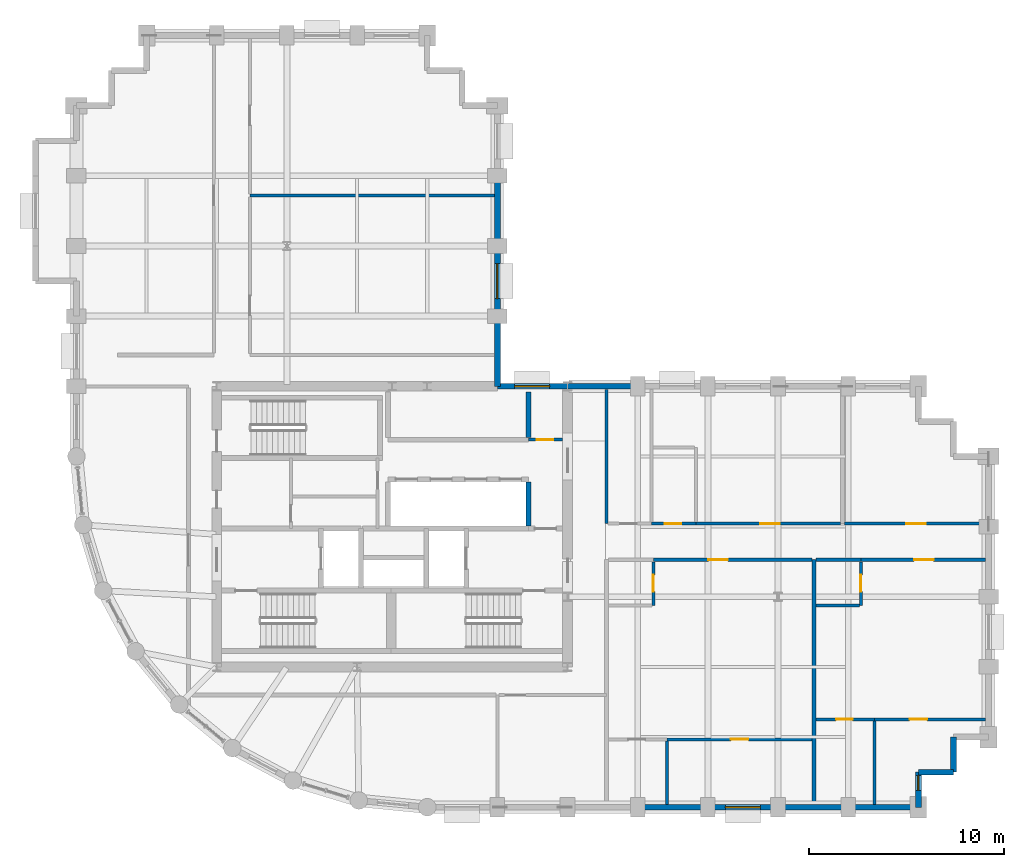
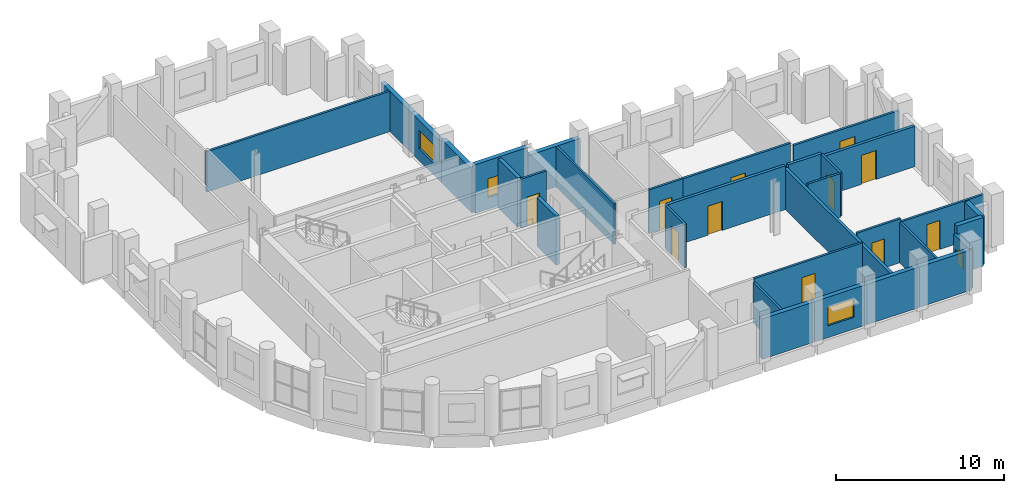
# One storey, part 10 of 14: 32 walls, 11 doors, 4 windows, 15 openings.
"""IFC4 building model written with IfcOpenShell, lengths in metres."""

from ifc_helpers import new_model, si_unit, direction, frame, frame_2d, origin, place, context, subcontext, project, spatial, rectangle, extrude, material, layer, layer_set, type_object, element, fill, save


model = new_model("IFC4")

# Units and contexts
model_context = context("Model", 3, precision=1e-05, world=origin(), true_north=direction((0.0, 1.0)))
body_context = subcontext(model_context, "Body", "Model", "MODEL_VIEW")
ifc_project = project(units=[si_unit("LENGTHUNIT", "METRE"), si_unit("AREAUNIT", "SQUARE_METRE"), si_unit("VOLUMEUNIT", "CUBIC_METRE"), si_unit("PLANEANGLEUNIT", "RADIAN"), si_unit("MASSUNIT", "GRAM", prefix="KILO")], contexts=[model_context])

# Site, building, storey
site_placement = place(None, origin())
site = spatial("IfcSite", under=ifc_project, at=site_placement, CompositionType="ELEMENT")
building_placement = place(site_placement, origin())
building = spatial("IfcBuilding", under=site, at=building_placement, Name="Solnavia Interchange Tower", CompositionType="ELEMENT")
storey_placement = place(building_placement, frame((0.0, 0.0, 158.0)))
storey = spatial("IfcBuildingStorey", under=building, at=storey_placement, Name="L39", CompositionType="ELEMENT", Elevation=158.0)

# Wall
ifc_material_1 = material(Name="Gypsum Acoustic Twin-Stud & Mineral Wool", Category="gypsum")
ifc_layer_1 = layer(ifc_material_1, 0.199951171875)
ifc_layer_set_1 = layer_set([ifc_layer_1], Name="Gypsum Acoustic Twin-Stud & Mineral Wool")
wall_type_1 = type_object("IfcWallType", Name="Wall-ApartmentParty-200", PredefinedType="PARTITIONING", material=ifc_layer_set_1)
wall_1_placement = place(storey_placement, frame((45.050048828125, 3.75390625, 0.0), z_axis=(0.0, 0.0, 1.0), x_axis=(0.0, 1.0, 0.0)))
element("IfcWall", 1, at=wall_1_placement, inside=storey, type_object=wall_type_1, Name="PTW-L39-13 Interior partition wall", PredefinedType="PARTITIONING", context=body_context, shape_type="SweptSolid", body=[
    extrude(rectangle(XDim=12.546142578125, YDim=0.199951171875, at=frame_2d((6.27294921875, 0.0))), origin(), (0.0, 0.0, 1.0), 2.929931640625),
])

# Wall, opening, door
wall_2_placement = place(storey_placement, frame((36.800048828125, 16.300048828125, 0.0), z_axis=(0.0, 0.0, 1.0), x_axis=(1.0, 0.0, 0.0)))
wall_2 = element("IfcWall", 2, at=wall_2_placement, inside=storey, type_object=wall_type_1, Name="PTW-L39-17 Interior partition wall", PredefinedType="PARTITIONING", context=body_context, shape_type="SweptSolid", body=[
    extrude(rectangle(XDim=8.14599609375, YDim=0.199951171875, at=frame_2d((4.072998046875, 0.0))), origin(), (0.0, 0.0, 1.0), 3.169921875),
])
opening_1_placement = place(wall_2_placement, frame((2.8291015625, 0.0, 0.0)))
opening_1 = element("IfcOpeningElement", 3, at=opening_1_placement, cuts=wall_2, Name="Opening DR-06", PredefinedType="OPENING", context=body_context, shape_type="SweptSolid", body=[
    extrude(rectangle(XDim=1.0, YDim=2.10009765625, at=frame_2d((0.5, 1.050048828125))), frame((0.0, 0.10986328125, 0.0), z_axis=(0.0, -1.0, 0.0), x_axis=(1.0, 0.0, 0.0)), (0.0, 0.0, 1.0), 0.219970703125),
])
ifc_material_2 = material(Name="Engineered Timber Acoustic Fire Door", Category="wood")
door_type_1 = type_object("IfcDoorType", Name="Door-FlatEntry-1000x2100", OperationType="SINGLE_SWING_LEFT", PredefinedType="DOOR", material=ifc_material_2)
door_1_placement = place(opening_1_placement, origin())
door_1 = element("IfcDoor", 4, at=door_1_placement, inside=storey, type_object=door_type_1, Name="DR-L39-06 Interior room door", OperationType="SINGLE_SWING_LEFT", OverallHeight=2.10009765625, OverallWidth=1.0, PredefinedType="DOOR", context=body_context, shape_type="SweptSolid", body=[
    extrude(rectangle(XDim=1.0, YDim=2.10009765625, at=frame_2d((0.5, 1.050048828125))), frame((0.0, 0.02490234375, 0.0), z_axis=(0.0, -1.0, 0.0), x_axis=(1.0, 0.0, 0.0)), (0.0, 0.0, 1.0), 0.050048828125),
])
fill(opening_1, door_1)

# Wall
wall_3_placement = place(storey_placement, frame((45.154052734375, 16.300048828125, 0.0), z_axis=(0.0, 0.0, 1.0), x_axis=(1.0, 0.0, 0.0)))
element("IfcWall", 5, at=wall_3_placement, inside=storey, type_object=wall_type_1, Name="PTW-L39-21 Interior partition wall", PredefinedType="PARTITIONING", context=body_context, shape_type="SweptSolid", body=[
    extrude(rectangle(XDim=2.2958984375, YDim=0.199951171875, at=frame_2d((1.14794921875, 0.0))), origin(), (0.0, 0.0, 1.0), 3.169921875),
])

# Wall, opening, door
wall_4_placement = place(storey_placement, frame((47.449951171875, 16.300048828125, 0.0), z_axis=(0.0, 0.0, 1.0), x_axis=(1.0, 0.0, 0.0)))
wall_4 = element("IfcWall", 6, at=wall_4_placement, inside=storey, type_object=wall_type_1, Name="PTW-L39-24 Interior partition wall", PredefinedType="PARTITIONING", context=body_context, shape_type="SweptSolid", body=[
    extrude(rectangle(XDim=6.39599609375, YDim=0.199951171875, at=frame_2d((3.197998046875, 0.0))), origin(), (0.0, 0.0, 1.0), 2.929931640625),
])
opening_2_placement = place(wall_4_placement, frame((2.735107421875, 0.0, 0.0)))
opening_2 = element("IfcOpeningElement", 7, at=opening_2_placement, cuts=wall_4, Name="Opening DR-06", PredefinedType="OPENING", context=body_context, shape_type="SweptSolid", body=[
    extrude(rectangle(XDim=1.0, YDim=2.10009765625, at=frame_2d((0.5, 1.050048828125))), frame((0.0, 0.10986328125, 0.0), z_axis=(0.0, -1.0, 0.0), x_axis=(1.0, 0.0, 0.0)), (0.0, 0.0, 1.0), 0.219970703125),
])
door_2_placement = place(opening_2_placement, origin())
door_2 = element("IfcDoor", 8, at=door_2_placement, inside=storey, type_object=door_type_1, Name="DR-L39-10 Interior room door", OperationType="SINGLE_SWING_LEFT", OverallHeight=2.10009765625, OverallWidth=1.0, PredefinedType="DOOR", context=body_context, shape_type="SweptSolid", body=[
    extrude(rectangle(XDim=1.0, YDim=2.10009765625, at=frame_2d((0.5, 1.050048828125))), frame((0.0, 0.02490234375, 0.0), z_axis=(0.0, -1.0, 0.0), x_axis=(1.0, 0.0, 0.0)), (0.0, 0.0, 1.0), 0.050048828125),
])
fill(opening_2, door_2)

# Wall
ifc_material_3 = material(Name="Concrete C40/50", Category="concrete")
ifc_layer_2 = layer(ifc_material_3, 0.300048828125)
ifc_layer_set_2 = layer_set([ifc_layer_2], Name="Concrete C40/50")
wall_type_2 = type_object("IfcWallType", Name="Wall-ExtSpandrel-300", PredefinedType="STANDARD", material=ifc_layer_set_2)
wall_5_placement = place(storey_placement, frame((39.60009765625, 3.60009765625, 0.0), z_axis=(0.0, 0.0, 1.0), x_axis=(-1.0, 0.0, 0.0)))
element("IfcWall", 9, at=wall_5_placement, inside=storey, type_object=wall_type_2, Name="EXW-L39-04 Exterior precast spandrel wall", PredefinedType="STANDARD", context=body_context, shape_type="SweptSolid", body=[
    extrude(rectangle(XDim=3.60009765625, YDim=0.300048828125, at=frame_2d((1.800048828125, 0.0))), origin(), (0.0, 0.0, 1.0), 2.929931640625),
])

# Wall, opening, window
wall_6_placement = place(storey_placement, frame((43.199951171875, 3.60009765625, 0.0), z_axis=(0.0, 0.0, 1.0), x_axis=(-1.0, 0.0, 0.0)))
wall_6 = element("IfcWall", 10, at=wall_6_placement, inside=storey, type_object=wall_type_2, Name="EXW-L39-05 Exterior precast spandrel wall", PredefinedType="STANDARD", context=body_context, shape_type="SweptSolid", body=[
    extrude(rectangle(XDim=3.599853515625, YDim=0.300048828125, at=frame_2d((1.7998046875, 0.0))), origin(), (0.0, 0.0, 1.0), 2.929931640625),
])
opening_3_placement = place(wall_6_placement, frame((0.89990234375, 0.0, 0.85009765625)))
opening_3 = element("IfcOpeningElement", 11, at=opening_3_placement, cuts=wall_6, Name="Opening WIN-02", PredefinedType="OPENING", context=body_context, shape_type="SweptSolid", body=[
    extrude(rectangle(XDim=1.800048828125, YDim=1.35009765625, at=frame_2d((0.89990234375, 0.675048828125))), frame((0.0, 0.16015625, 0.0), z_axis=(0.0, -1.0, 0.0), x_axis=(1.0, 0.0, 0.0)), (0.0, 0.0, 1.0), 0.320068359375),
])
ifc_material_4 = material(Name="Thermal-Break Aluminium & Low-E Glass", Category="aluminium")
window_type_1 = type_object("IfcWindowType", Name="Window-Ribbon-1800x1350", PartitioningType="SINGLE_PANEL", PredefinedType="WINDOW", material=ifc_material_4)
window_1_placement = place(opening_3_placement, origin())
window_1 = element("IfcWindow", 12, at=window_1_placement, inside=storey, type_object=window_type_1, Name="WIN-L39-05 Facade ribbon window", OverallHeight=1.35009765625, OverallWidth=1.800048828125, PartitioningType="SINGLE_PANEL", PredefinedType="WINDOW", context=body_context, shape_type="SweptSolid", body=[
    extrude(rectangle(XDim=1.800048828125, YDim=1.35009765625, at=frame_2d((0.89990234375, 0.675048828125))), frame((0.0, 0.030029296875, 0.0), z_axis=(0.0, -1.0, 0.0), x_axis=(1.0, 0.0, 0.0)), (0.0, 0.0, 1.0), 0.06005859375),
])
fill(opening_3, window_1)

# Walls
wall_7_placement = place(storey_placement, frame((46.800048828125, 3.60009765625, 0.0), z_axis=(0.0, 0.0, 1.0), x_axis=(-1.0, 0.0, 0.0)))
element("IfcWall", 13, at=wall_7_placement, inside=storey, type_object=wall_type_2, Name="EXW-L39-06 Exterior precast spandrel wall", PredefinedType="STANDARD", context=body_context, shape_type="SweptSolid", body=[
    extrude(rectangle(XDim=3.60009765625, YDim=0.300048828125, at=frame_2d((1.800048828125, 0.0))), origin(), (0.0, 0.0, 1.0), 2.929931640625),
])
wall_8_placement = place(storey_placement, frame((50.39990234375, 3.60009765625, 0.0), z_axis=(0.0, 0.0, 1.0), x_axis=(-1.0, 0.0, 0.0)))
element("IfcWall", 14, at=wall_8_placement, inside=storey, type_object=wall_type_2, Name="EXW-L39-07 Exterior precast spandrel wall", PredefinedType="STANDARD", context=body_context, shape_type="SweptSolid", body=[
    extrude(rectangle(XDim=3.599853515625, YDim=0.300048828125, at=frame_2d((1.7998046875, 0.0))), origin(), (0.0, 0.0, 1.0), 2.929931640625),
])

# Wall, opening, window
wall_9_placement = place(storey_placement, frame((50.39990234375, 5.39990234375, 0.0), z_axis=(0.0, 0.0, 1.0), x_axis=(0.0, -1.0, 0.0)))
wall_9 = element("IfcWall", 15, at=wall_9_placement, inside=storey, type_object=wall_type_2, Name="EXW-L39-08 Exterior precast spandrel wall", PredefinedType="STANDARD", context=body_context, shape_type="SweptSolid", body=[
    extrude(rectangle(XDim=1.7998046875, YDim=0.300048828125, at=frame_2d((0.89990234375, 0.0))), origin(), (0.0, 0.0, 1.0), 2.929931640625),
])
opening_4_placement = place(wall_9_placement, frame((0.179931640625, 0.0, 0.85009765625)))
opening_4 = element("IfcOpeningElement", 16, at=opening_4_placement, cuts=wall_9, Name="Opening WIN-08", PredefinedType="OPENING", context=body_context, shape_type="SweptSolid", body=[
    extrude(rectangle(XDim=0.75, YDim=1.050048828125, at=frame_2d((0.375, 0.52490234375))), frame((0.0, 0.16015625, 0.0), z_axis=(0.0, -1.0, 0.0), x_axis=(1.0, 0.0, 0.0)), (0.0, 0.0, 1.0), 0.320068359375),
])
window_type_2 = type_object("IfcWindowType", Name="Window-Bedroom-750x1050", PartitioningType="SINGLE_PANEL", PredefinedType="WINDOW", material=ifc_material_4)
window_2_placement = place(opening_4_placement, origin())
window_2 = element("IfcWindow", 17, at=window_2_placement, inside=storey, type_object=window_type_2, Name="WIN-L39-DW01 Dwelling bedroom window", OverallHeight=1.050048828125, OverallWidth=0.75, PartitioningType="SINGLE_PANEL", PredefinedType="WINDOW", context=body_context, shape_type="SweptSolid", body=[
    extrude(rectangle(XDim=0.75, YDim=1.050048828125, at=frame_2d((0.375, 0.52490234375))), frame((0.0, 0.030029296875, 0.0), z_axis=(0.0, -1.0, 0.0), x_axis=(1.0, 0.0, 0.0)), (0.0, 0.0, 1.0), 0.06005859375),
])
fill(opening_4, window_2)

# Walls
for number, where, z_axis, x_axis, name in (
    (18, (52.199951171875, 5.39990234375, 0.0), (0.0, 0.0, 1.0), (-1.0, 0.0, 0.0), "EXW-L39-09 Exterior precast spandrel wall"),
    (19, (52.199951171875, 7.199951171875, 0.0), (0.0, 0.0, 1.0), (0.0, -1.0, 0.0), "EXW-L39-10 Exterior precast spandrel wall"),
):
    element("IfcWall", number, at=place(storey_placement, frame(where, z_axis=z_axis, x_axis=x_axis)), inside=storey, type_object=wall_type_2, Name=name, PredefinedType="STANDARD", context=body_context, shape_type="SweptSolid", body=[
        extrude(rectangle(XDim=1.800048828125, YDim=0.300048828125, at=frame_2d((0.89990234375, 0.0))), origin(), (0.0, 0.0, 1.0), 3.534912109375),
    ])
wall_10_placement = place(storey_placement, frame((32.39990234375, 25.199951171875, 0.0), z_axis=(0.0, 0.0, 1.0), x_axis=(1.0, 0.0, 0.0)))
element("IfcWall", 20, at=wall_10_placement, inside=storey, type_object=wall_type_2, Name="EXW-L39-24 Exterior precast spandrel wall", PredefinedType="STANDARD", context=body_context, shape_type="SweptSolid", body=[
    extrude(rectangle(XDim=3.60009765625, YDim=0.300048828125, at=frame_2d((1.800048828125, 0.0))), origin(), (0.0, 0.0, 1.0), 2.929931640625),
])

# Wall, opening, window
wall_11_placement = place(storey_placement, frame((28.800048828125, 25.199951171875, 0.0), z_axis=(0.0, 0.0, 1.0), x_axis=(1.0, 0.0, 0.0)))
wall_11 = element("IfcWall", 21, at=wall_11_placement, inside=storey, type_object=wall_type_2, Name="EXW-L39-25 Exterior precast spandrel wall", PredefinedType="STANDARD", context=body_context, shape_type="SweptSolid", body=[
    extrude(rectangle(XDim=3.599853515625, YDim=0.300048828125, at=frame_2d((1.7998046875, 0.0))), origin(), (0.0, 0.0, 1.0), 3.534912109375),
])
opening_5_placement = place(wall_11_placement, frame((0.884033203125, 0.0, 0.85009765625)))
opening_5 = element("IfcOpeningElement", 22, at=opening_5_placement, cuts=wall_11, Name="Opening WIN-02", PredefinedType="OPENING", context=body_context, shape_type="SweptSolid", body=[
    extrude(rectangle(XDim=1.800048828125, YDim=1.35009765625, at=frame_2d((0.89990234375, 0.675048828125))), frame((0.0, 0.16015625, 0.0), z_axis=(0.0, -1.0, 0.0), x_axis=(1.0, 0.0, 0.0)), (0.0, 0.0, 1.0), 0.320068359375),
])
window_3_placement = place(opening_5_placement, origin())
window_3 = element("IfcWindow", 23, at=window_3_placement, inside=storey, type_object=window_type_1, Name="WIN-L39-25 Facade ribbon window", OverallHeight=1.35009765625, OverallWidth=1.800048828125, PartitioningType="SINGLE_PANEL", PredefinedType="WINDOW", context=body_context, shape_type="SweptSolid", body=[
    extrude(rectangle(XDim=1.800048828125, YDim=1.35009765625, at=frame_2d((0.89990234375, 0.675048828125))), frame((0.0, 0.030029296875, 0.0), z_axis=(0.0, -1.0, 0.0), x_axis=(1.0, 0.0, 0.0)), (0.0, 0.0, 1.0), 0.06005859375),
])
fill(opening_5, window_3)

# Wall
wall_12_placement = place(storey_placement, frame((28.800048828125, 28.800048828125, 0.0), z_axis=(0.0, 0.0, 1.0), x_axis=(0.0, -1.0, 0.0)))
element("IfcWall", 24, at=wall_12_placement, inside=storey, type_object=wall_type_2, Name="EXW-L39-26 Exterior precast spandrel wall", PredefinedType="STANDARD", context=body_context, shape_type="SweptSolid", body=[
    extrude(rectangle(XDim=3.60009765625, YDim=0.300048828125, at=frame_2d((1.800048828125, 0.0))), origin(), (0.0, 0.0, 1.0), 3.169921875),
])

# Wall, opening, window
wall_13_placement = place(storey_placement, frame((28.800048828125, 32.39990234375, 0.0), z_axis=(0.0, 0.0, 1.0), x_axis=(0.0, -1.0, 0.0)))
wall_13 = element("IfcWall", 25, at=wall_13_placement, inside=storey, type_object=wall_type_2, Name="EXW-L39-27 Exterior precast spandrel wall", PredefinedType="STANDARD", context=body_context, shape_type="SweptSolid", body=[
    extrude(rectangle(XDim=3.599853515625, YDim=0.300048828125, at=frame_2d((1.7998046875, 0.0))), origin(), (0.0, 0.0, 1.0), 2.929931640625),
])
opening_6_placement = place(wall_13_placement, frame((0.89990234375, 0.0, 0.85009765625)))
opening_6 = element("IfcOpeningElement", 26, at=opening_6_placement, cuts=wall_13, Name="Opening WIN-02", PredefinedType="OPENING", context=body_context, shape_type="SweptSolid", body=[
    extrude(rectangle(XDim=1.800048828125, YDim=1.35009765625, at=frame_2d((0.89990234375, 0.675048828125))), frame((0.0, 0.16015625, 0.0), z_axis=(0.0, -1.0, 0.0), x_axis=(1.0, 0.0, 0.0)), (0.0, 0.0, 1.0), 0.320068359375),
])
window_4_placement = place(opening_6_placement, origin())
window_4 = element("IfcWindow", 27, at=window_4_placement, inside=storey, type_object=window_type_1, Name="WIN-L39-27 Facade ribbon window", OverallHeight=1.35009765625, OverallWidth=1.800048828125, PartitioningType="SINGLE_PANEL", PredefinedType="WINDOW", context=body_context, shape_type="SweptSolid", body=[
    extrude(rectangle(XDim=1.800048828125, YDim=1.35009765625, at=frame_2d((0.89990234375, 0.675048828125))), frame((0.0, 0.030029296875, 0.0), z_axis=(0.0, -1.0, 0.0), x_axis=(1.0, 0.0, 0.0)), (0.0, 0.0, 1.0), 0.06005859375),
])
fill(opening_6, window_4)

# Wall
wall_14_placement = place(storey_placement, frame((28.800048828125, 36.0, 0.0), z_axis=(0.0, 0.0, 1.0), x_axis=(0.0, -1.0, 0.0)))
element("IfcWall", 28, at=wall_14_placement, inside=storey, type_object=wall_type_2, Name="EXW-L39-28 Exterior precast spandrel wall", PredefinedType="STANDARD", context=body_context, shape_type="SweptSolid", body=[
    extrude(rectangle(XDim=3.60009765625, YDim=0.300048828125, at=frame_2d((1.800048828125, 0.0))), origin(), (0.0, 0.0, 1.0), 2.929931640625),
])

# Wall, opening, door
ifc_material_5 = material(Name="Gypsum Plasterboard & Steel Stud", Category="steel")
ifc_layer_3 = layer(ifc_material_5, 0.14990234375)
ifc_layer_set_3 = layer_set([ifc_layer_3], Name="Gypsum Plasterboard & Steel Stud")
wall_type_3 = type_object("IfcWallType", Name="Wall-Partition-150", PredefinedType="PARTITIONING", material=ifc_layer_set_3)
wall_15_placement = place(storey_placement, frame((30.39990234375, 22.4599609375, 0.0), z_axis=(0.0, 0.0, 1.0), x_axis=(1.0, 0.0, 0.0)))
wall_15 = element("IfcWall", 29, at=wall_15_placement, inside=storey, type_object=wall_type_3, Name="CSW-L39-NE-S Core shaft wall", PredefinedType="PARTITIONING", context=body_context, shape_type="SweptSolid", body=[
    extrude(rectangle(XDim=1.75, YDim=0.14990234375, at=frame_2d((0.875, 0.0))), origin(), (0.0, 0.0, 1.0), 3.534912109375),
])
opening_7_placement = place(wall_15_placement, frame((0.419921875, 0.0, 0.0)))
opening_7 = element("IfcOpeningElement", 30, at=opening_7_placement, cuts=wall_15, Name="Opening DR-10", PredefinedType="OPENING", context=body_context, shape_type="SweptSolid", body=[
    extrude(rectangle(XDim=0.85009765625, YDim=2.10009765625, at=frame_2d((0.425048828125, 1.050048828125))), frame((0.0, 0.0849609375, 0.0), z_axis=(0.0, -1.0, 0.0), x_axis=(1.0, 0.0, 0.0)), (0.0, 0.0, 1.0), 0.169921875),
])
ifc_material_6 = material(Name="Moisture-Resistant Timber Door", Category="wood")
door_type_2 = type_object("IfcDoorType", Name="Door-Bathroom-850x2100", OperationType="SINGLE_SWING_RIGHT", PredefinedType="DOOR", material=ifc_material_6)
door_3_placement = place(opening_7_placement, origin())
door_3 = element("IfcDoor", 31, at=door_3_placement, inside=storey, type_object=door_type_2, Name="DR-L39-CS4 Core fire door", OperationType="SINGLE_SWING_RIGHT", OverallHeight=2.10009765625, OverallWidth=0.85009765625, PredefinedType="DOOR", context=body_context, shape_type="SweptSolid", body=[
    extrude(rectangle(XDim=0.85009765625, YDim=2.10009765625, at=frame_2d((0.425048828125, 1.050048828125))), frame((0.0, 0.02490234375, 0.0), z_axis=(0.0, -1.0, 0.0), x_axis=(1.0, 0.0, 0.0)), (0.0, 0.0, 1.0), 0.050048828125),
])
fill(opening_7, door_3)

wall_16_placement = place(storey_placement, frame((37.5, 7.080078125, 0.0), z_axis=(0.0, 0.0, 1.0), x_axis=(1.0, 0.0, 0.0)))
wall_16 = element("IfcWall", 32, at=wall_16_placement, inside=storey, type_object=wall_type_3, Name="PTW-L39-18 Interior partition wall", PredefinedType="PARTITIONING", context=body_context, shape_type="SweptSolid", body=[
    extrude(rectangle(XDim=7.446044921875, YDim=0.14990234375, at=frame_2d((3.72314453125, 0.0))), origin(), (0.0, 0.0, 1.0), 3.169921875),
])
opening_8_placement = place(wall_16_placement, frame((3.284912109375, 0.0, 0.0)))
opening_8 = element("IfcOpeningElement", 33, at=opening_8_placement, cuts=wall_16, Name="Opening DR-09", PredefinedType="OPENING", context=body_context, shape_type="SweptSolid", body=[
    extrude(rectangle(XDim=0.89990234375, YDim=2.10009765625, at=frame_2d((0.449951171875, 1.050048828125))), frame((0.0, 0.0849609375, 0.0), z_axis=(0.0, -1.0, 0.0), x_axis=(1.0, 0.0, 0.0)), (0.0, 0.0, 1.0), 0.169921875),
])
ifc_material_7 = material(Name="Engineered Oak Veneer Door", Category="wood")
door_type_3 = type_object("IfcDoorType", Name="Door-Internal-900x2100", OperationType="SINGLE_SWING_LEFT", PredefinedType="DOOR", material=ifc_material_7)
door_4_placement = place(opening_8_placement, origin())
door_4 = element("IfcDoor", 34, at=door_4_placement, inside=storey, type_object=door_type_3, Name="DR-L39-07 Interior room door", OperationType="SINGLE_SWING_RIGHT", OverallHeight=2.10009765625, OverallWidth=0.89990234375, PredefinedType="DOOR", context=body_context, shape_type="SweptSolid", body=[
    extrude(rectangle(XDim=0.89990234375, YDim=2.10009765625, at=frame_2d((0.449951171875, 1.050048828125))), frame((0.0, 0.02490234375, 0.0), z_axis=(0.0, -1.0, 0.0), x_axis=(1.0, 0.0, 0.0)), (0.0, 0.0, 1.0), 0.050048828125),
])
fill(opening_8, door_4)

wall_17_placement = place(storey_placement, frame((48.14990234375, 8.110107421875, 0.0), z_axis=(0.0, 0.0, 1.0), x_axis=(1.0, 0.0, 0.0)))
wall_17 = element("IfcWall", 35, at=wall_17_placement, inside=storey, type_object=wall_type_3, Name="PTW-L39-25 Interior partition wall", PredefinedType="PARTITIONING", context=body_context, shape_type="SweptSolid", body=[
    extrude(rectangle(XDim=5.696044921875, YDim=0.14990234375, at=frame_2d((2.84814453125, 0.0))), origin(), (0.0, 0.0, 1.0), 2.929931640625),
])
opening_9_placement = place(wall_17_placement, frame((1.797119140625, 0.0, 0.0)))
opening_9 = element("IfcOpeningElement", 36, at=opening_9_placement, cuts=wall_17, Name="Opening DR-09", PredefinedType="OPENING", context=body_context, shape_type="SweptSolid", body=[
    extrude(rectangle(XDim=0.89990234375, YDim=2.10009765625, at=frame_2d((0.449951171875, 1.050048828125))), frame((0.0, 0.0849609375, 0.0), z_axis=(0.0, -1.0, 0.0), x_axis=(1.0, 0.0, 0.0)), (0.0, 0.0, 1.0), 0.169921875),
])
door_5_placement = place(opening_9_placement, origin())
door_5 = element("IfcDoor", 37, at=door_5_placement, inside=storey, type_object=door_type_3, Name="DR-L39-11 Interior room door", OperationType="SINGLE_SWING_RIGHT", OverallHeight=2.10009765625, OverallWidth=0.89990234375, PredefinedType="DOOR", context=body_context, shape_type="SweptSolid", body=[
    extrude(rectangle(XDim=0.89990234375, YDim=2.10009765625, at=frame_2d((0.449951171875, 1.050048828125))), frame((0.0, 0.02490234375, 0.0), z_axis=(0.0, -1.0, 0.0), x_axis=(1.0, 0.0, 0.0)), (0.0, 0.0, 1.0), 0.050048828125),
])
fill(opening_9, door_5)

wall_18_placement = place(storey_placement, frame((39.0, 18.14990234375, 0.0), z_axis=(0.0, 0.0, 1.0), x_axis=(1.0, 0.0, 0.0)))
wall_18 = element("IfcWall", 38, at=wall_18_placement, inside=storey, type_object=wall_type_3, Name="PTW-L39-29 Interior partition wall", PredefinedType="PARTITIONING", context=body_context, shape_type="SweptSolid", body=[
    extrude(rectangle(XDim=7.39599609375, YDim=0.14990234375, at=frame_2d((3.697998046875, 0.0))), origin(), (0.0, 0.0, 1.0), 3.169921875),
])
opening_10_placement = place(wall_18_placement, frame((3.2900390625, 0.0, 0.0)))
opening_10 = element("IfcOpeningElement", 39, at=opening_10_placement, cuts=wall_18, Name="Opening DR-07", PredefinedType="OPENING", context=body_context, shape_type="SweptSolid", body=[
    extrude(rectangle(XDim=1.0, YDim=2.10009765625, at=frame_2d((0.5, 1.050048828125))), frame((0.0, 0.0849609375, 0.0), z_axis=(0.0, -1.0, 0.0), x_axis=(1.0, 0.0, 0.0)), (0.0, 0.0, 1.0), 0.169921875),
])
ifc_material_8 = material(Name="Timber & Acoustic Glazed Office Door", Category="wood")
door_type_4 = type_object("IfcDoorType", Name="Door-Office-1000x2100", OperationType="SINGLE_SWING_RIGHT", PredefinedType="DOOR", material=ifc_material_8)
door_6_placement = place(opening_10_placement, origin())
door_6 = element("IfcDoor", 40, at=door_6_placement, inside=storey, type_object=door_type_4, Name="DR-L39-13 Interior room door", OperationType="SINGLE_SWING_RIGHT", OverallHeight=2.10009765625, OverallWidth=1.0, PredefinedType="DOOR", context=body_context, shape_type="SweptSolid", body=[
    extrude(rectangle(XDim=1.0, YDim=2.10009765625, at=frame_2d((0.5, 1.050048828125))), frame((0.0, 0.02490234375, 0.0), z_axis=(0.0, -1.0, 0.0), x_axis=(1.0, 0.0, 0.0)), (0.0, 0.0, 1.0), 0.050048828125),
])
fill(opening_10, door_6)

wall_19_placement = place(storey_placement, frame((46.60400390625, 18.14990234375, 0.0), z_axis=(0.0, 0.0, 1.0), x_axis=(1.0, 0.0, 0.0)))
wall_19 = element("IfcWall", 41, at=wall_19_placement, inside=storey, type_object=wall_type_3, Name="PTW-L39-30 Interior partition wall", PredefinedType="PARTITIONING", context=body_context, shape_type="SweptSolid", body=[
    extrude(rectangle(XDim=7.241943359375, YDim=0.14990234375, at=frame_2d((3.62109375, 0.0))), origin(), (0.0, 0.0, 1.0), 2.929931640625),
])
opening_11_placement = place(wall_19_placement, frame((3.18603515625, 0.0, 0.0)))
opening_11 = element("IfcOpeningElement", 42, at=opening_11_placement, cuts=wall_19, Name="Opening DR-07", PredefinedType="OPENING", context=body_context, shape_type="SweptSolid", body=[
    extrude(rectangle(XDim=1.0, YDim=2.10009765625, at=frame_2d((0.5, 1.050048828125))), frame((0.0, 0.0849609375, 0.0), z_axis=(0.0, -1.0, 0.0), x_axis=(1.0, 0.0, 0.0)), (0.0, 0.0, 1.0), 0.169921875),
])
door_7_placement = place(opening_11_placement, origin())
door_7 = element("IfcDoor", 43, at=door_7_placement, inside=storey, type_object=door_type_4, Name="DR-L39-14 Interior room door", OperationType="SINGLE_SWING_RIGHT", OverallHeight=2.10009765625, OverallWidth=1.0, PredefinedType="DOOR", context=body_context, shape_type="SweptSolid", body=[
    extrude(rectangle(XDim=1.0, YDim=2.10009765625, at=frame_2d((0.5, 1.050048828125))), frame((0.0, 0.02490234375, 0.0), z_axis=(0.0, -1.0, 0.0), x_axis=(1.0, 0.0, 0.0)), (0.0, 0.0, 1.0), 0.050048828125),
])
fill(opening_11, door_7)

# Walls
wall_20_placement = place(storey_placement, frame((16.10009765625, 35.0, 0.0), z_axis=(0.0, 0.0, 1.0), x_axis=(1.0, 0.0, 0.0)))
element("IfcWall", 44, at=wall_20_placement, inside=storey, type_object=wall_type_3, Name="PTW-L39-34 Interior partition wall", PredefinedType="PARTITIONING", context=body_context, shape_type="SweptSolid", body=[
    extrude(rectangle(XDim=12.5458984375, YDim=0.14990234375, at=frame_2d((6.27294921875, 0.0))), origin(), (0.0, 0.0, 1.0), 2.929931640625),
])
ifc_layer_4 = layer(ifc_material_3, 0.25)
ifc_layer_set_4 = layer_set([ifc_layer_4], Name="Concrete C40/50")
wall_type_4 = type_object("IfcWallType", Name="Wall-ShaftPart-250", PredefinedType="PARTITIONING", material=ifc_layer_set_4)
wall_21_placement = place(storey_placement, frame((30.39990234375, 18.02490234375, 0.0), z_axis=(0.0, 0.0, 1.0), x_axis=(0.0, 1.0, 0.0)))
element("IfcWall", 45, at=wall_21_placement, inside=storey, type_object=wall_type_4, Name="SHW-L39-B2E Core shaft wall", PredefinedType="PARTITIONING", context=body_context, shape_type="SweptSolid", body=[
    extrude(rectangle(XDim=2.27001953125, YDim=0.25, at=frame_2d((1.135009765625, 0.0))), origin(), (0.0, 0.0, 1.0), 3.534912109375),
])
wall_22_placement = place(storey_placement, frame((30.39990234375, 22.5849609375, 0.0), z_axis=(0.0, 0.0, 1.0), x_axis=(0.0, 1.0, 0.0)))
element("IfcWall", 46, at=wall_22_placement, inside=storey, type_object=wall_type_4, Name="SHW-L39-B3E Core shaft wall", PredefinedType="PARTITIONING", context=body_context, shape_type="SweptSolid", body=[
    extrude(rectangle(XDim=2.31494140625, YDim=0.25, at=frame_2d((1.157470703125, 0.0))), origin(), (0.0, 0.0, 1.0), 3.534912109375),
])
ifc_material_9 = material(Name="Moisture-Resistant Gypsum & Steel Stud", Category="steel")
ifc_layer_5 = layer(ifc_material_9, 0.14990234375)
ifc_layer_set_5 = layer_set([ifc_layer_5], Name="Moisture-Resistant Gypsum & Steel Stud")
wall_type_5 = type_object("IfcWallType", Name="Wall-WetRoom-150", PredefinedType="PARTITIONING", material=ifc_layer_set_5)
wall_23_placement = place(storey_placement, frame((34.39990234375, 18.14990234375, 0.0), z_axis=(0.0, 0.0, 1.0), x_axis=(0.0, 1.0, 0.0)))
element("IfcWall", 47, at=wall_23_placement, inside=storey, type_object=wall_type_5, Name="PTW-L39-01 Interior partition wall", PredefinedType="PARTITIONING", context=body_context, shape_type="SweptSolid", body=[
    extrude(rectangle(XDim=6.89599609375, YDim=0.14990234375, at=frame_2d((3.447998046875, 0.0))), origin(), (0.0, 0.0, 1.0), 2.929931640625),
])

# Wall, opening, door
wall_24_placement = place(storey_placement, frame((36.699951171875, 18.14990234375, 0.0), z_axis=(0.0, 0.0, 1.0), x_axis=(1.0, 0.0, 0.0)))
wall_24 = element("IfcWall", 48, at=wall_24_placement, inside=storey, type_object=wall_type_5, Name="PTW-L39-04 Interior partition wall", PredefinedType="PARTITIONING", context=body_context, shape_type="SweptSolid", body=[
    extrude(rectangle(XDim=2.300048828125, YDim=0.14990234375, at=frame_2d((1.14990234375, 0.0))), origin(), (0.0, 0.0, 1.0), 3.169921875),
])
opening_12_placement = place(wall_24_placement, frame((0.697021484375, 0.0, 0.0)))
opening_12 = element("IfcOpeningElement", 49, at=opening_12_placement, cuts=wall_24, Name="Opening DR-10", PredefinedType="OPENING", context=body_context, shape_type="SweptSolid", body=[
    extrude(rectangle(XDim=0.85009765625, YDim=2.10009765625, at=frame_2d((0.425048828125, 1.050048828125))), frame((0.0, 0.0849609375, 0.0), z_axis=(0.0, -1.0, 0.0), x_axis=(1.0, 0.0, 0.0)), (0.0, 0.0, 1.0), 0.169921875),
])
door_8_placement = place(opening_12_placement, origin())
door_8 = element("IfcDoor", 50, at=door_8_placement, inside=storey, type_object=door_type_2, Name="DR-L39-02 Interior room door", OperationType="SINGLE_SWING_RIGHT", OverallHeight=2.10009765625, OverallWidth=0.85009765625, PredefinedType="DOOR", context=body_context, shape_type="SweptSolid", body=[
    extrude(rectangle(XDim=0.85009765625, YDim=2.10009765625, at=frame_2d((0.425048828125, 1.050048828125))), frame((0.0, 0.02490234375, 0.0), z_axis=(0.0, -1.0, 0.0), x_axis=(1.0, 0.0, 0.0)), (0.0, 0.0, 1.0), 0.050048828125),
])
fill(opening_12, door_8)

wall_25_placement = place(storey_placement, frame((36.800048828125, 13.949951171875, 0.0), z_axis=(0.0, 0.0, 1.0), x_axis=(0.0, 1.0, 0.0)))
wall_25 = element("IfcWall", 51, at=wall_25_placement, inside=storey, type_object=wall_type_5, Name="PTW-L39-15 Interior partition wall", PredefinedType="PARTITIONING", context=body_context, shape_type="SweptSolid", body=[
    extrude(rectangle(XDim=2.24609375, YDim=0.14990234375, at=frame_2d((1.123046875, 0.0))), origin(), (0.0, 0.0, 1.0), 3.169921875),
])
opening_13_placement = place(wall_25_placement, frame((0.719970703125, 0.0, 0.0)))
opening_13 = element("IfcOpeningElement", 52, at=opening_13_placement, cuts=wall_25, Name="Opening DR-10", PredefinedType="OPENING", context=body_context, shape_type="SweptSolid", body=[
    extrude(rectangle(XDim=0.85009765625, YDim=2.10009765625, at=frame_2d((0.425048828125, 1.050048828125))), frame((0.0, 0.0849609375, 0.0), z_axis=(0.0, -1.0, 0.0), x_axis=(1.0, 0.0, 0.0)), (0.0, 0.0, 1.0), 0.169921875),
])
door_9_placement = place(opening_13_placement, origin())
door_9 = element("IfcDoor", 53, at=door_9_placement, inside=storey, type_object=door_type_2, Name="DR-L39-05 Interior room door", OperationType="SINGLE_SWING_RIGHT", OverallHeight=2.10009765625, OverallWidth=0.85009765625, PredefinedType="DOOR", context=body_context, shape_type="SweptSolid", body=[
    extrude(rectangle(XDim=0.85009765625, YDim=2.10009765625, at=frame_2d((0.425048828125, 1.050048828125))), frame((0.0, 0.02490234375, 0.0), z_axis=(0.0, -1.0, 0.0), x_axis=(1.0, 0.0, 0.0)), (0.0, 0.0, 1.0), 0.050048828125),
])
fill(opening_13, door_9)

# Wall
wall_26_placement = place(storey_placement, frame((37.5, 3.75390625, 0.0), z_axis=(0.0, 0.0, 1.0), x_axis=(0.0, 1.0, 0.0)))
element("IfcWall", 54, at=wall_26_placement, inside=storey, type_object=wall_type_5, Name="PTW-L39-20 Interior partition wall", PredefinedType="PARTITIONING", context=body_context, shape_type="SweptSolid", body=[
    extrude(rectangle(XDim=3.2470703125, YDim=0.14990234375, at=frame_2d((1.62353515625, 0.0))), origin(), (0.0, 0.0, 1.0), 2.929931640625),
])

# Wall, opening, door
wall_27_placement = place(storey_placement, frame((47.449951171875, 13.949951171875, 0.0), z_axis=(0.0, 0.0, 1.0), x_axis=(0.0, 1.0, 0.0)))
wall_27 = element("IfcWall", 55, at=wall_27_placement, inside=storey, type_object=wall_type_5, Name="PTW-L39-22 Interior partition wall", PredefinedType="PARTITIONING", context=body_context, shape_type="SweptSolid", body=[
    extrude(rectangle(XDim=2.24609375, YDim=0.14990234375, at=frame_2d((1.123046875, 0.0))), origin(), (0.0, 0.0, 1.0), 3.169921875),
])
opening_14_placement = place(wall_27_placement, frame((0.719970703125, 0.0, 0.0)))
opening_14 = element("IfcOpeningElement", 56, at=opening_14_placement, cuts=wall_27, Name="Opening DR-10", PredefinedType="OPENING", context=body_context, shape_type="SweptSolid", body=[
    extrude(rectangle(XDim=0.85009765625, YDim=2.10009765625, at=frame_2d((0.425048828125, 1.050048828125))), frame((0.0, 0.0849609375, 0.0), z_axis=(0.0, -1.0, 0.0), x_axis=(1.0, 0.0, 0.0)), (0.0, 0.0, 1.0), 0.169921875),
])
door_10_placement = place(opening_14_placement, origin())
door_10 = element("IfcDoor", 57, at=door_10_placement, inside=storey, type_object=door_type_2, Name="DR-L39-09 Interior room door", OperationType="SINGLE_SWING_RIGHT", OverallHeight=2.10009765625, OverallWidth=0.85009765625, PredefinedType="DOOR", context=body_context, shape_type="SweptSolid", body=[
    extrude(rectangle(XDim=0.85009765625, YDim=2.10009765625, at=frame_2d((0.425048828125, 1.050048828125))), frame((0.0, 0.02490234375, 0.0), z_axis=(0.0, -1.0, 0.0), x_axis=(1.0, 0.0, 0.0)), (0.0, 0.0, 1.0), 0.050048828125),
])
fill(opening_14, door_10)

# Wall
wall_28_placement = place(storey_placement, frame((45.154052734375, 13.949951171875, 0.0), z_axis=(0.0, 0.0, 1.0), x_axis=(1.0, 0.0, 0.0)))
element("IfcWall", 58, at=wall_28_placement, inside=storey, type_object=wall_type_5, Name="PTW-L39-23 Interior partition wall", PredefinedType="PARTITIONING", context=body_context, shape_type="SweptSolid", body=[
    extrude(rectangle(XDim=2.217041015625, YDim=0.14990234375, at=frame_2d((1.1083984375, 0.0))), origin(), (0.0, 0.0, 1.0), 3.169921875),
])

# Wall, opening, door
wall_29_placement = place(storey_placement, frame((45.154052734375, 8.110107421875, 0.0), z_axis=(0.0, 0.0, 1.0), x_axis=(1.0, 0.0, 0.0)))
wall_29 = element("IfcWall", 59, at=wall_29_placement, inside=storey, type_object=wall_type_5, Name="PTW-L39-26 Interior partition wall", PredefinedType="PARTITIONING", context=body_context, shape_type="SweptSolid", body=[
    extrude(rectangle(XDim=2.995849609375, YDim=0.14990234375, at=frame_2d((1.498046875, 0.0))), origin(), (0.0, 0.0, 1.0), 3.169921875),
])
opening_15_placement = place(wall_29_placement, frame((1.02099609375, 0.0, 0.0)))
opening_15 = element("IfcOpeningElement", 60, at=opening_15_placement, cuts=wall_29, Name="Opening DR-10", PredefinedType="OPENING", context=body_context, shape_type="SweptSolid", body=[
    extrude(rectangle(XDim=0.85009765625, YDim=2.10009765625, at=frame_2d((0.425048828125, 1.050048828125))), frame((0.0, 0.0849609375, 0.0), z_axis=(0.0, -1.0, 0.0), x_axis=(1.0, 0.0, 0.0)), (0.0, 0.0, 1.0), 0.169921875),
])
door_11_placement = place(opening_15_placement, origin())
door_11 = element("IfcDoor", 61, at=door_11_placement, inside=storey, type_object=door_type_2, Name="DR-L39-12 Interior room door", OperationType="SINGLE_SWING_LEFT", OverallHeight=2.10009765625, OverallWidth=0.85009765625, PredefinedType="DOOR", context=body_context, shape_type="SweptSolid", body=[
    extrude(rectangle(XDim=0.85009765625, YDim=2.10009765625, at=frame_2d((0.425048828125, 1.050048828125))), frame((0.0, 0.02490234375, 0.0), z_axis=(0.0, -1.0, 0.0), x_axis=(1.0, 0.0, 0.0)), (0.0, 0.0, 1.0), 0.050048828125),
])
fill(opening_15, door_11)

# Wall
wall_30_placement = place(storey_placement, frame((48.14990234375, 3.75390625, 0.0), z_axis=(0.0, 0.0, 1.0), x_axis=(0.0, 1.0, 0.0)))
element("IfcWall", 62, at=wall_30_placement, inside=storey, type_object=wall_type_5, Name="PTW-L39-27 Interior partition wall", PredefinedType="PARTITIONING", context=body_context, shape_type="SweptSolid", body=[
    extrude(rectangle(XDim=4.277099609375, YDim=0.14990234375, at=frame_2d((2.138671875, 0.0))), origin(), (0.0, 0.0, 1.0), 2.929931640625),
])

save(model, "model.ifc")
